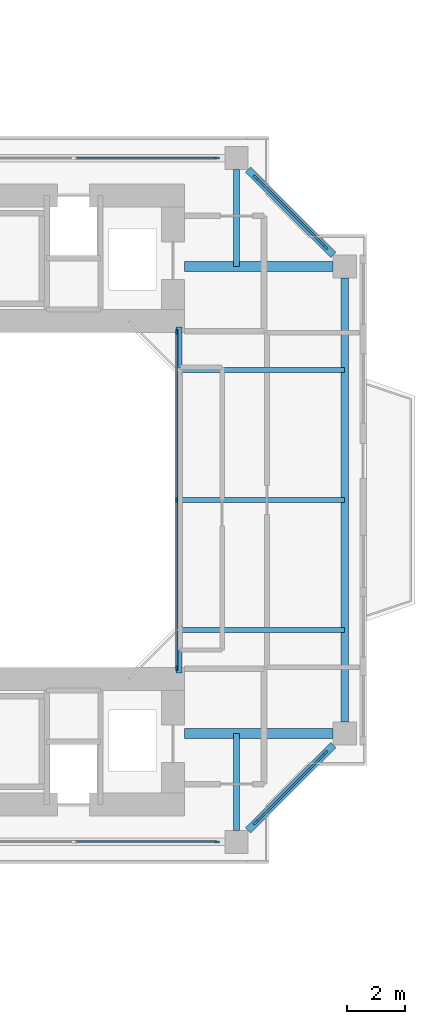
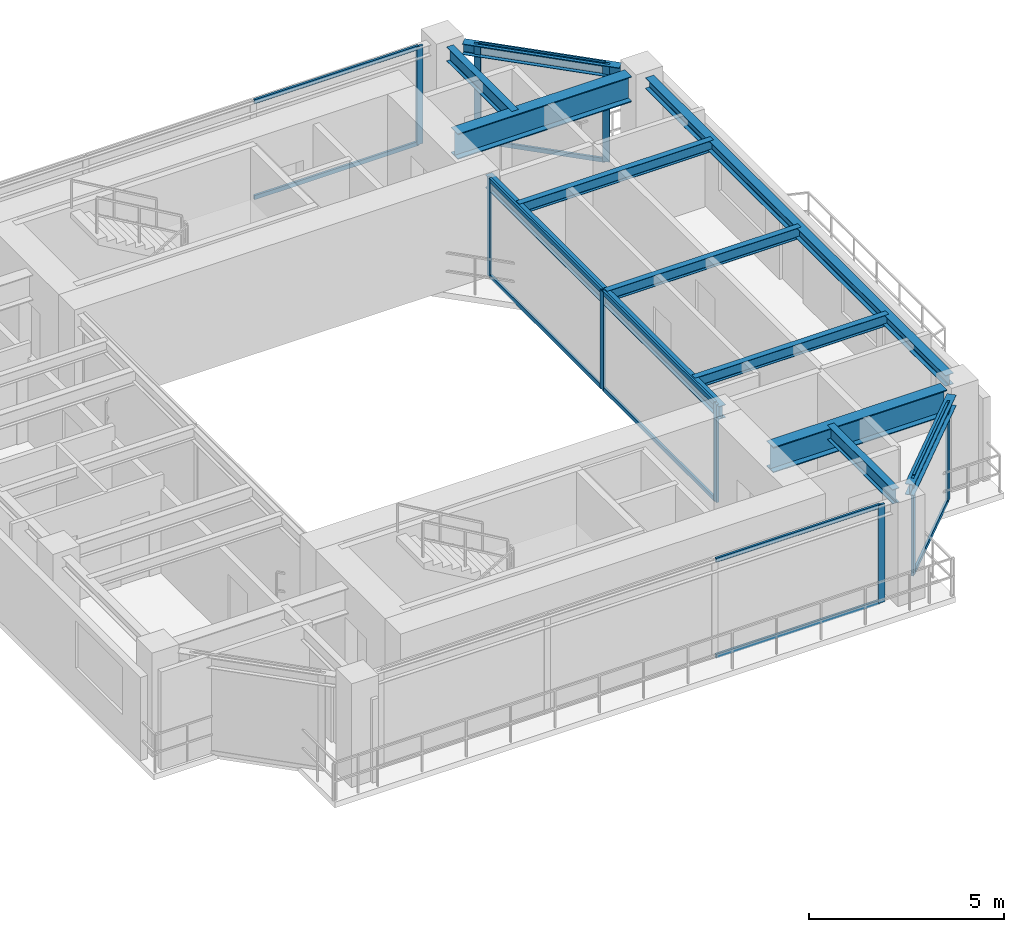
# One storey, part 11 of 23: 21 members, 11 beams, 5 elements without a shape of their own.
"""IFC4 building model written with IfcOpenShell, lengths in metres."""

from ifc_helpers import new_model, si_unit, direction, frame, origin, origin_2d, place, context, subcontext, project, spatial, rectangle, i_section, extrude, source, transform, mapped, material, layer, layer_set, material_profile, profile_set, type_object, element, aggregate, save


model = new_model("IFC4")

# Units and contexts
model_context = context("Model", 3, precision=1e-05, world=origin(), true_north=direction((0.0, 1.0)))
body_context = subcontext(model_context, "Body", "Model", "MODEL_VIEW")
ifc_project = project(units=[si_unit("LENGTHUNIT", "METRE"), si_unit("AREAUNIT", "SQUARE_METRE"), si_unit("VOLUMEUNIT", "CUBIC_METRE"), si_unit("PLANEANGLEUNIT", "RADIAN"), si_unit("MASSUNIT", "GRAM", prefix="KILO"), si_unit("THERMODYNAMICTEMPERATUREUNIT", "KELVIN"), si_unit("POWERUNIT", "WATT")], contexts=[model_context])

# Site, building, storey
site_placement = place(None, origin())
site = spatial("IfcSite", under=ifc_project, at=site_placement, CompositionType="ELEMENT")
building_placement = place(site_placement, origin())
building = spatial("IfcBuilding", under=site, at=building_placement, Name="Qiaomeng Ring Towers", CompositionType="ELEMENT")
storey_placement = place(building_placement, frame((0.0, 0.0, 97.0)))
storey = spatial("IfcBuildingStorey", under=building, at=storey_placement, Name="L27", CompositionType="ELEMENT", Elevation=97.0)

# Beams
ifc_material_1 = material(Name="Steel Q355B", Category="steel")
ifc_material_profile_1 = material_profile(ifc_material_1, i_section(OverallWidth=0.199951171875, OverallDepth=0.39990234375, WebThickness=0.008056640625, FlangeThickness=0.012939453125, FilletRadius=0.01611328125, at=origin_2d()), Name="HN 400x200x8x13")
ifc_profile_set_1 = profile_set([ifc_material_profile_1], Name="Steel Q355B")
beam_type_1 = type_object("IfcBeamType", Name="STR-BM-HN400", PredefinedType="SPANDREL", material=ifc_profile_set_1)
shared_shape_1 = source(origin(), body_context, "Body", "SweptSolid", [
    extrude(i_section(OverallWidth=0.199951171875, OverallDepth=0.39990234375, WebThickness=0.008056640625, FlangeThickness=0.012939453125, FilletRadius=0.01611328125, at=origin_2d()), origin(), (0.0, 0.0, 1.0), 12.0),
])
beam_1_placement = place(storey_placement, frame((66.60009765625, 17.0, 2.8701171875), z_axis=(0.0, 1.0, 0.0), x_axis=(-1.0, 0.0, 0.0)))
element("IfcBeam", 1, at=beam_1_placement, inside=storey, type_object=beam_type_1, Name="L27 beam STR-BM-L27-T2-WELL-E", PredefinedType="SPANDREL", context=body_context, shape_type="MappedRepresentation", body=[
    mapped(shared_shape_1, transform((0.0, 0.0, 0.0), x_axis=(1.0, 0.0, 0.0), y_axis=(0.0, 1.0, 0.0), z_axis=(0.0, 0.0, 1.0), scale=1.0)),
])
ifc_material_profile_2 = material_profile(ifc_material_1, i_section(OverallWidth=0.25, OverallDepth=0.340087890625, WebThickness=0.009033203125, FlangeThickness=0.013916015625, FilletRadius=0.02001953125, at=origin_2d()), Name="HM 340x250x9x14")
ifc_profile_set_2 = profile_set([ifc_material_profile_2], Name="Steel Q355B")
beam_type_2 = type_object("IfcBeamType", Name="STR-BM-HM340", PredefinedType="SPANDREL", material=ifc_profile_set_2)
shared_shape_2 = source(origin(), body_context, "Body", "SweptSolid", [
    extrude(i_section(OverallWidth=0.25, OverallDepth=0.340087890625, WebThickness=0.009033203125, FlangeThickness=0.013916015625, FilletRadius=0.02001953125, at=origin_2d()), origin(), (0.0, 0.0, 1.0), 15.40185546875),
])
beam_2_placement = place(storey_placement, frame((72.35009765625, 15.299072265625, 2.89990234375), z_axis=(0.0, 1.0, 0.0), x_axis=(-1.0, 0.0, 0.0)))
element("IfcBeam", 2, at=beam_2_placement, inside=storey, type_object=beam_type_2, Name="L27 beam STR-SP-L27-T2-E1-E2", PredefinedType="SPANDREL", context=body_context, shape_type="MappedRepresentation", body=[
    mapped(shared_shape_2, transform((0.0, 0.0, 0.0), x_axis=(1.0, 0.0, 0.0), y_axis=(0.0, 1.0, 0.0), z_axis=(0.0, 0.0, 1.0), scale=1.0)),
])
shared_shape_3 = source(origin(), body_context, "Body", "SweptSolid", [
    extrude(i_section(OverallWidth=0.25, OverallDepth=0.340087890625, WebThickness=0.009033203125, FlangeThickness=0.013916015625, FilletRadius=0.02001953125, at=origin_2d()), origin(), (0.0, 0.0, 1.0), 4.173828125),
])
for number, where, z_axis, x_axis, name in (
    (3, (68.999267578125, 11.54931640625, 2.89990234375), (0.707106781187, 0.707106781187, 0.0), (-0.707106781187, 0.707106781187, 0.0), "L27 beam STR-SP-L27-T2-S2-E1"),
    (4, (71.95068359375, 31.499267578125, 2.89990234375), (-0.707106781187, 0.707106781187, 0.0), (-0.707106781187, -0.707106781187, 0.0), "L27 beam STR-SP-L27-T2-E2-N2"),
):
    element("IfcBeam", number, at=place(storey_placement, frame(where, z_axis=z_axis, x_axis=x_axis)), inside=storey, type_object=beam_type_2, Name=name, PredefinedType="SPANDREL", context=body_context, shape_type="MappedRepresentation", body=[
        mapped(shared_shape_3, transform((0.0, 0.0, 0.0), x_axis=(1.0, 0.0, 0.0), y_axis=(0.0, 1.0, 0.0), z_axis=(0.0, 0.0, 1.0), scale=1.0)),
    ])
ifc_material_2 = material(Name="Steel Q390GJC", Category="steel")
ifc_material_profile_3 = material_profile(ifc_material_2, i_section(OverallWidth=0.35009765625, OverallDepth=0.800048828125, WebThickness=0.01611328125, FlangeThickness=0.028076171875, at=origin_2d()), Name="WH 800x350x16x28")
ifc_profile_set_3 = profile_set([ifc_material_profile_3], Name="Steel Q390GJC")
beam_type_3 = type_object("IfcBeamType", Name="STR-BM-WH800", PredefinedType="BEAM", material=ifc_profile_set_3)
shared_shape_4 = source(origin(), body_context, "Body", "SweptSolid", [
    extrude(i_section(OverallWidth=0.35009765625, OverallDepth=0.800048828125, WebThickness=0.01611328125, FlangeThickness=0.028076171875, at=origin_2d()), origin(), (0.0, 0.0, 1.0), 5.15087890625),
])
for number, where, z_axis, x_axis, name in (
    (5, (66.800048828125, 14.89990234375, 2.669921875), (1.0, 0.0, 0.0), (0.0, 1.0, 0.0), "L27 beam STR-BM-L27-T2-RAD-E1"),
    (6, (66.800048828125, 31.10009765625, 2.669921875), (1.0, 0.0, 0.0), (0.0, 1.0, 0.0), "L27 beam STR-BM-L27-T2-RAD-E2"),
):
    element("IfcBeam", number, at=place(storey_placement, frame(where, z_axis=z_axis, x_axis=x_axis)), inside=storey, type_object=beam_type_3, Name=name, PredefinedType="BEAM", context=body_context, shape_type="MappedRepresentation", body=[
        mapped(shared_shape_4, transform((0.0, 0.0, 0.0), x_axis=(1.0, 0.0, 0.0), y_axis=(0.0, 1.0, 0.0), z_axis=(0.0, 0.0, 1.0), scale=1.0)),
    ])
ifc_material_profile_4 = material_profile(ifc_material_1, i_section(OverallWidth=0.199951171875, OverallDepth=0.449951171875, WebThickness=0.009033203125, FlangeThickness=0.013916015625, FilletRadius=0.01806640625, at=origin_2d()), Name="HN 450x200x9x14")
ifc_profile_set_4 = profile_set([ifc_material_profile_4], Name="Steel Q355B")
beam_type_4 = type_object("IfcBeamType", Name="STR-BM-HN450", PredefinedType="SPANDREL", material=ifc_profile_set_4)
shared_shape_5 = source(origin(), body_context, "Body", "SweptSolid", [
    extrude(i_section(OverallWidth=0.199951171875, OverallDepth=0.449951171875, WebThickness=0.009033203125, FlangeThickness=0.013916015625, FilletRadius=0.01806640625, at=origin_2d()), origin(), (0.0, 0.0, 1.0), 3.350830078125),
])
for number, where, z_axis, x_axis, name in (
    (7, (68.60009765625, 34.450927734375, 2.844970703125), (0.0, -1.0, 0.0), (1.0, 0.0, 0.0), "L27 beam STR-BM-L27-T2-RAD-N2"),
    (8, (68.60009765625, 11.549072265625, 2.844970703125), (0.0, 1.0, 0.0), (-1.0, 0.0, 0.0), "L27 beam STR-BM-L27-T2-RAD-S2"),
):
    element("IfcBeam", number, at=place(storey_placement, frame(where, z_axis=z_axis, x_axis=x_axis)), inside=storey, type_object=beam_type_4, Name=name, PredefinedType="SPANDREL", context=body_context, shape_type="MappedRepresentation", body=[
        mapped(shared_shape_5, transform((0.0, 0.0, 0.0), x_axis=(1.0, 0.0, 0.0), y_axis=(0.0, 1.0, 0.0), z_axis=(0.0, 0.0, 1.0), scale=1.0)),
    ])
ifc_material_profile_5 = material_profile(ifc_material_1, i_section(OverallWidth=0.175048828125, OverallDepth=0.35009765625, WebThickness=0.007080078125, FlangeThickness=0.010986328125, FilletRadius=0.013916015625, at=origin_2d()), Name="HN 350x175x7x11")
ifc_profile_set_5 = profile_set([ifc_material_profile_5], Name="Steel Q355B")
beam_type_5 = type_object("IfcBeamType", Name="STR-BM-HN350", PredefinedType="JOIST", material=ifc_profile_set_5)
shared_shape_6 = source(origin(), body_context, "Body", "SweptSolid", [
    extrude(i_section(OverallWidth=0.175048828125, OverallDepth=0.35009765625, WebThickness=0.007080078125, FlangeThickness=0.010986328125, FilletRadius=0.013916015625, at=origin_2d()), origin(), (0.0, 0.0, 1.0), 5.75),
])
for number, where, z_axis, x_axis, name in (
    (9, (66.60009765625, 18.5, 2.89501953125), (1.0, 0.0, 0.0), (0.0, 1.0, 0.0), "L27 beam STR-JST-L27-T2E-1"),
    (10, (66.60009765625, 23.0, 2.89501953125), (1.0, 0.0, 0.0), (0.0, 1.0, 0.0), "L27 beam STR-JST-L27-T2E-2"),
    (11, (66.60009765625, 27.5, 2.89501953125), (1.0, 0.0, 0.0), (0.0, 1.0, 0.0), "L27 beam STR-JST-L27-T2E-3"),
):
    element("IfcBeam", number, at=place(storey_placement, frame(where, z_axis=z_axis, x_axis=x_axis)), inside=storey, type_object=beam_type_5, Name=name, PredefinedType="JOIST", context=body_context, shape_type="MappedRepresentation", body=[
        mapped(shared_shape_6, transform((0.0, 0.0, 0.0), x_axis=(1.0, 0.0, 0.0), y_axis=(0.0, 1.0, 0.0), z_axis=(0.0, 0.0, 1.0), scale=1.0)),
    ])

# Curtain wall, members
ifc_material_3 = material(Name="Fluorocarbon dark-grey aluminium", Category="aluminium")
ifc_layer_1 = layer(ifc_material_3, 0.139892578125, Name="Fluorocarbon dark-grey aluminium")
ifc_layer_set_1 = layer_set([ifc_layer_1], Name="Fluorocarbon dark-grey aluminium")
curtain_wall_type_1 = type_object("IfcCurtainWallType", Name="ARC-CW-4", PredefinedType="NOTDEFINED", material=ifc_layer_set_1)
curtain_wall_1_placement = place(storey_placement, origin())
curtain_wall_1 = element("IfcCurtainWall", 12, at=curtain_wall_1_placement, inside=storey, type_object=curtain_wall_type_1, Name="L27 Curtain Wall CW4", PredefinedType="NOTDEFINED")
ifc_material_profile_6 = material_profile(ifc_material_3, rectangle(XDim=0.06494140625, YDim=0.159912109375, at=origin_2d()), Name="ALU MULL 65x160")
ifc_profile_set_6 = profile_set([ifc_material_profile_6], Name="Fluorocarbon dark-grey aluminium")
member_type_1 = type_object("IfcMemberType", Name="ARC-CWM-140", PredefinedType="MULLION", material=ifc_profile_set_6)
shared_shape_7 = source(origin(), body_context, "Body", "SweptSolid", [
    extrude(rectangle(XDim=0.06494140625, YDim=0.159912109375, at=origin_2d()), origin(), (0.0, 0.0, 1.0), 3.070068359375),
])
member_1_placement = place(storey_placement, frame((66.52001953125, 17.1826171875, 0.0), z_axis=(0.0, 0.0, 1.0), x_axis=(-1.0, 0.0, 0.0)))
member_1 = element("IfcMember", 13, at=member_1_placement, type_object=member_type_1, Name="CW4 mullion 1", PredefinedType="MULLION", context=body_context, shape_type="MappedRepresentation", body=[
    mapped(shared_shape_7, transform((0.0, 0.0, 0.0), x_axis=(1.0, 0.0, 0.0), y_axis=(0.0, 1.0, 0.0), z_axis=(0.0, 0.0, 1.0), scale=1.0)),
])
member_2_placement = place(storey_placement, frame((66.52001953125, 23.0, 0.0), z_axis=(0.0, 0.0, 1.0), x_axis=(-1.0, 0.0, 0.0)))
member_2 = element("IfcMember", 14, at=member_2_placement, type_object=member_type_1, Name="CW4 mullion 2", PredefinedType="MULLION", context=body_context, shape_type="MappedRepresentation", body=[
    mapped(shared_shape_7, transform((0.0, 0.0, 0.0), x_axis=(1.0, 0.0, 0.0), y_axis=(0.0, 1.0, 0.0), z_axis=(0.0, 0.0, 1.0), scale=1.0)),
])
member_3_placement = place(storey_placement, frame((66.52001953125, 28.8173828125, 0.0), z_axis=(0.0, 0.0, 1.0), x_axis=(-1.0, 0.0, 0.0)))
member_3 = element("IfcMember", 15, at=member_3_placement, type_object=member_type_1, Name="CW4 mullion 3", PredefinedType="MULLION", context=body_context, shape_type="MappedRepresentation", body=[
    mapped(shared_shape_7, transform((0.0, 0.0, 0.0), x_axis=(1.0, 0.0, 0.0), y_axis=(0.0, 1.0, 0.0), z_axis=(0.0, 0.0, 1.0), scale=1.0)),
])
ifc_material_profile_7 = material_profile(ifc_material_3, rectangle(XDim=0.06494140625, YDim=0.1298828125, at=origin_2d()), Name="ALU TRAN 65x130")
ifc_profile_set_7 = profile_set([ifc_material_profile_7], Name="Fluorocarbon dark-grey aluminium")
member_type_2 = type_object("IfcMemberType", Name="ARC-CWT-120", PredefinedType="USERDEFINED", material=ifc_profile_set_7)
shared_shape_8 = source(origin(), body_context, "Body", "SweptSolid", [
    extrude(rectangle(XDim=0.06494140625, YDim=0.1298828125, at=origin_2d()), origin(), (0.0, 0.0, 1.0), 5.75244140625),
])
member_4_placement = place(storey_placement, frame((66.52001953125, 17.215087890625, 0.032470703125), z_axis=(0.0, 1.0, 0.0), x_axis=(-1.0, 0.0, 0.0)))
member_4 = element("IfcMember", 16, at=member_4_placement, type_object=member_type_2, Name="CW4 transom 1.1", ObjectType="TRANSOM", PredefinedType="USERDEFINED", context=body_context, shape_type="MappedRepresentation", body=[
    mapped(shared_shape_8, transform((0.0, 0.0, 0.0), x_axis=(1.0, 0.0, 0.0), y_axis=(0.0, 1.0, 0.0), z_axis=(0.0, 0.0, 1.0), scale=1.0)),
])
member_5_placement = place(storey_placement, frame((66.52001953125, 17.215087890625, 3.03759765625), z_axis=(0.0, 1.0, 0.0), x_axis=(-1.0, 0.0, 0.0)))
member_5 = element("IfcMember", 17, at=member_5_placement, type_object=member_type_2, Name="CW4 transom 1.2", ObjectType="TRANSOM", PredefinedType="USERDEFINED", context=body_context, shape_type="MappedRepresentation", body=[
    mapped(shared_shape_8, transform((0.0, 0.0, 0.0), x_axis=(1.0, 0.0, 0.0), y_axis=(0.0, 1.0, 0.0), z_axis=(0.0, 0.0, 1.0), scale=1.0)),
])
member_6_placement = place(storey_placement, frame((66.52001953125, 23.032470703125, 0.032470703125), z_axis=(0.0, 1.0, 0.0), x_axis=(-1.0, 0.0, 0.0)))
member_6 = element("IfcMember", 18, at=member_6_placement, type_object=member_type_2, Name="CW4 transom 2.1", ObjectType="TRANSOM", PredefinedType="USERDEFINED", context=body_context, shape_type="MappedRepresentation", body=[
    mapped(shared_shape_8, transform((0.0, 0.0, 0.0), x_axis=(1.0, 0.0, 0.0), y_axis=(0.0, 1.0, 0.0), z_axis=(0.0, 0.0, 1.0), scale=1.0)),
])
member_7_placement = place(storey_placement, frame((66.52001953125, 23.032470703125, 3.03759765625), z_axis=(0.0, 1.0, 0.0), x_axis=(-1.0, 0.0, 0.0)))
member_7 = element("IfcMember", 19, at=member_7_placement, type_object=member_type_2, Name="CW4 transom 2.2", ObjectType="TRANSOM", PredefinedType="USERDEFINED", context=body_context, shape_type="MappedRepresentation", body=[
    mapped(shared_shape_8, transform((0.0, 0.0, 0.0), x_axis=(1.0, 0.0, 0.0), y_axis=(0.0, 1.0, 0.0), z_axis=(0.0, 0.0, 1.0), scale=1.0)),
])
aggregate(curtain_wall_1, [member_1, member_2, member_3, member_4, member_5, member_6, member_7])

# Curtain wall, member
ifc_layer_2 = layer(ifc_material_3, 0.14990234375, Name="Fluorocarbon dark-grey aluminium")
ifc_layer_set_2 = layer_set([ifc_layer_2], Name="Fluorocarbon dark-grey aluminium")
curtain_wall_type_2 = type_object("IfcCurtainWallType", Name="ARC-CW-5", PredefinedType="NOTDEFINED", material=ifc_layer_set_2)
curtain_wall_2_placement = place(storey_placement, origin())
curtain_wall_2 = element("IfcCurtainWall", 20, at=curtain_wall_2_placement, inside=storey, type_object=curtain_wall_type_2, Name="L27 Curtain Wall CW5", PredefinedType="NOTDEFINED")
ifc_material_profile_8 = material_profile(ifc_material_3, rectangle(XDim=0.070068359375, YDim=0.179931640625, at=origin_2d()), Name="ALU MULL 70x180")
ifc_profile_set_8 = profile_set([ifc_material_profile_8], Name="Fluorocarbon dark-grey aluminium")
member_type_3 = type_object("IfcMemberType", Name="ARC-CWM-160", PredefinedType="MULLION", material=ifc_profile_set_8)
shared_shape_9 = source(origin(), body_context, "Body", "SweptSolid", [
    extrude(rectangle(XDim=0.070068359375, YDim=0.179931640625, at=origin_2d()), origin(), (0.0, 0.0, 1.0), 3.070068359375),
])
member_8_placement = place(storey_placement, frame((67.925048828125, 34.85009765625, 0.0), z_axis=(0.0, 0.0, 1.0), x_axis=(0.0, 1.0, 0.0)))
member_8 = element("IfcMember", 21, at=member_8_placement, type_object=member_type_3, Name="CW5 mullion 4", PredefinedType="MULLION", context=body_context, shape_type="MappedRepresentation", body=[
    mapped(shared_shape_9, transform((0.0, 0.0, 0.0), x_axis=(1.0, 0.0, 0.0), y_axis=(0.0, 1.0, 0.0), z_axis=(0.0, 0.0, 1.0), scale=1.0)),
])

# Curtain wall, members
curtain_wall_3_placement = place(storey_placement, origin())
curtain_wall_3 = element("IfcCurtainWall", 22, at=curtain_wall_3_placement, inside=storey, type_object=curtain_wall_type_2, Name="L27 Curtain Wall CW5", PredefinedType="NOTDEFINED")
member_9_placement = place(storey_placement, frame((69.2646484375, 11.814697265625, 0.0), z_axis=(0.0, 0.0, 1.0), x_axis=(-0.707106781187, 0.707106781187, 0.0)))
member_9 = element("IfcMember", 23, at=member_9_placement, type_object=member_type_3, Name="CW5 mullion 1", PredefinedType="MULLION", context=body_context, shape_type="MappedRepresentation", body=[
    mapped(shared_shape_9, transform((0.0, 0.0, 0.0), x_axis=(1.0, 0.0, 0.0), y_axis=(0.0, 1.0, 0.0), z_axis=(0.0, 0.0, 1.0), scale=1.0)),
])
member_10_placement = place(storey_placement, frame((71.685302734375, 14.2353515625, 0.0), z_axis=(0.0, 0.0, 1.0), x_axis=(-0.707106781187, 0.707106781187, 0.0)))
member_10 = element("IfcMember", 24, at=member_10_placement, type_object=member_type_3, Name="CW5 mullion 2", PredefinedType="MULLION", context=body_context, shape_type="MappedRepresentation", body=[
    mapped(shared_shape_9, transform((0.0, 0.0, 0.0), x_axis=(1.0, 0.0, 0.0), y_axis=(0.0, 1.0, 0.0), z_axis=(0.0, 0.0, 1.0), scale=1.0)),
])

curtain_wall_4_placement = place(storey_placement, origin())
curtain_wall_4 = element("IfcCurtainWall", 25, at=curtain_wall_4_placement, inside=storey, type_object=curtain_wall_type_2, Name="L27 Curtain Wall CW5", PredefinedType="NOTDEFINED")
member_11_placement = place(storey_placement, frame((71.685302734375, 31.7646484375, 0.0), z_axis=(0.0, 0.0, 1.0), x_axis=(-0.707106781187, -0.707106781187, 0.0)))
member_11 = element("IfcMember", 26, at=member_11_placement, type_object=member_type_3, Name="CW5 mullion 1", PredefinedType="MULLION", context=body_context, shape_type="MappedRepresentation", body=[
    mapped(shared_shape_9, transform((0.0, 0.0, 0.0), x_axis=(1.0, 0.0, 0.0), y_axis=(0.0, 1.0, 0.0), z_axis=(0.0, 0.0, 1.0), scale=1.0)),
])
member_12_placement = place(storey_placement, frame((69.2646484375, 34.185302734375, 0.0), z_axis=(0.0, 0.0, 1.0), x_axis=(-0.707106781187, -0.707106781187, 0.0)))
member_12 = element("IfcMember", 27, at=member_12_placement, type_object=member_type_3, Name="CW5 mullion 2", PredefinedType="MULLION", context=body_context, shape_type="MappedRepresentation", body=[
    mapped(shared_shape_9, transform((0.0, 0.0, 0.0), x_axis=(1.0, 0.0, 0.0), y_axis=(0.0, 1.0, 0.0), z_axis=(0.0, 0.0, 1.0), scale=1.0)),
])

# Curtain wall, member
curtain_wall_5_placement = place(storey_placement, origin())
curtain_wall_5 = element("IfcCurtainWall", 28, at=curtain_wall_5_placement, inside=storey, type_object=curtain_wall_type_2, Name="L27 Curtain Wall CW5", PredefinedType="NOTDEFINED")
member_13_placement = place(storey_placement, frame((67.925048828125, 11.14990234375, 0.0), z_axis=(0.0, 0.0, 1.0), x_axis=(0.0, 1.0, 0.0)))
member_13 = element("IfcMember", 29, at=member_13_placement, type_object=member_type_3, Name="CW5 mullion 4", PredefinedType="MULLION", context=body_context, shape_type="MappedRepresentation", body=[
    mapped(shared_shape_9, transform((0.0, 0.0, 0.0), x_axis=(1.0, 0.0, 0.0), y_axis=(0.0, 1.0, 0.0), z_axis=(0.0, 0.0, 1.0), scale=1.0)),
])

# Member
shared_shape_10 = source(origin(), body_context, "Body", "SweptSolid", [
    extrude(rectangle(XDim=0.06494140625, YDim=0.1298828125, at=origin_2d()), origin(), (0.0, 0.0, 1.0), 4.8681640625),
])
member_14_placement = place(storey_placement, frame((63.021728515625, 34.85009765625, 0.032470703125), z_axis=(1.0, 0.0, 0.0), x_axis=(0.0, 1.0, 0.0)))
member_14 = element("IfcMember", 30, at=member_14_placement, type_object=member_type_2, Name="CW5 transom 3.1", ObjectType="TRANSOM", PredefinedType="USERDEFINED", context=body_context, shape_type="MappedRepresentation", body=[
    mapped(shared_shape_10, transform((0.0, 0.0, 0.0), x_axis=(1.0, 0.0, 0.0), y_axis=(0.0, 1.0, 0.0), z_axis=(0.0, 0.0, 1.0), scale=1.0)),
])

member_15_placement = place(storey_placement, frame((63.021728515625, 34.85009765625, 3.03759765625), z_axis=(1.0, 0.0, 0.0), x_axis=(0.0, 1.0, 0.0)))
member_15 = element("IfcMember", 31, at=member_15_placement, type_object=member_type_2, Name="CW5 transom 3.2", ObjectType="TRANSOM", PredefinedType="USERDEFINED", context=body_context, shape_type="MappedRepresentation", body=[
    mapped(shared_shape_10, transform((0.0, 0.0, 0.0), x_axis=(1.0, 0.0, 0.0), y_axis=(0.0, 1.0, 0.0), z_axis=(0.0, 0.0, 1.0), scale=1.0)),
])

aggregate(curtain_wall_2, [member_8, member_14, member_15])

member_16_placement = place(storey_placement, frame((63.021728515625, 11.14990234375, 0.032470703125), z_axis=(1.0, 0.0, 0.0), x_axis=(0.0, 1.0, 0.0)))
member_16 = element("IfcMember", 32, at=member_16_placement, type_object=member_type_2, Name="CW5 transom 3.1", ObjectType="TRANSOM", PredefinedType="USERDEFINED", context=body_context, shape_type="MappedRepresentation", body=[
    mapped(shared_shape_10, transform((0.0, 0.0, 0.0), x_axis=(1.0, 0.0, 0.0), y_axis=(0.0, 1.0, 0.0), z_axis=(0.0, 0.0, 1.0), scale=1.0)),
])

member_17_placement = place(storey_placement, frame((63.021728515625, 11.14990234375, 3.03759765625), z_axis=(1.0, 0.0, 0.0), x_axis=(0.0, 1.0, 0.0)))
member_17 = element("IfcMember", 33, at=member_17_placement, type_object=member_type_2, Name="CW5 transom 3.2", ObjectType="TRANSOM", PredefinedType="USERDEFINED", context=body_context, shape_type="MappedRepresentation", body=[
    mapped(shared_shape_10, transform((0.0, 0.0, 0.0), x_axis=(1.0, 0.0, 0.0), y_axis=(0.0, 1.0, 0.0), z_axis=(0.0, 0.0, 1.0), scale=1.0)),
])

aggregate(curtain_wall_5, [member_13, member_16, member_17])

shared_shape_11 = source(origin(), body_context, "Body", "SweptSolid", [
    extrude(rectangle(XDim=0.06494140625, YDim=0.1298828125, at=origin_2d()), origin(), (0.0, 0.0, 1.0), 3.352783203125),
])
member_18_placement = place(storey_placement, frame((69.28955078125, 11.839599609375, 0.032470703125), z_axis=(0.707106781187, 0.707106781187, 0.0), x_axis=(-0.707106781187, 0.707106781187, 0.0)))
member_18 = element("IfcMember", 34, at=member_18_placement, type_object=member_type_2, Name="CW5 transom 1.1", ObjectType="TRANSOM", PredefinedType="USERDEFINED", context=body_context, shape_type="MappedRepresentation", body=[
    mapped(shared_shape_11, transform((0.0, 0.0, 0.0), x_axis=(1.0, 0.0, 0.0), y_axis=(0.0, 1.0, 0.0), z_axis=(0.0, 0.0, 1.0), scale=1.0)),
])

member_19_placement = place(storey_placement, frame((69.28955078125, 11.839599609375, 3.03759765625), z_axis=(0.707106781187, 0.707106781187, 0.0), x_axis=(-0.707106781187, 0.707106781187, 0.0)))
member_19 = element("IfcMember", 35, at=member_19_placement, type_object=member_type_2, Name="CW5 transom 1.2", ObjectType="TRANSOM", PredefinedType="USERDEFINED", context=body_context, shape_type="MappedRepresentation", body=[
    mapped(shared_shape_11, transform((0.0, 0.0, 0.0), x_axis=(1.0, 0.0, 0.0), y_axis=(0.0, 1.0, 0.0), z_axis=(0.0, 0.0, 1.0), scale=1.0)),
])

aggregate(curtain_wall_3, [member_9, member_10, member_18, member_19])

member_20_placement = place(storey_placement, frame((71.660400390625, 31.78955078125, 0.032470703125), z_axis=(-0.707106781187, 0.707106781187, 0.0), x_axis=(-0.707106781187, -0.707106781187, 0.0)))
member_20 = element("IfcMember", 36, at=member_20_placement, type_object=member_type_2, Name="CW5 transom 1.1", ObjectType="TRANSOM", PredefinedType="USERDEFINED", context=body_context, shape_type="MappedRepresentation", body=[
    mapped(shared_shape_11, transform((0.0, 0.0, 0.0), x_axis=(1.0, 0.0, 0.0), y_axis=(0.0, 1.0, 0.0), z_axis=(0.0, 0.0, 1.0), scale=1.0)),
])

member_21_placement = place(storey_placement, frame((71.660400390625, 31.78955078125, 3.03759765625), z_axis=(-0.707106781187, 0.707106781187, 0.0), x_axis=(-0.707106781187, -0.707106781187, 0.0)))
member_21 = element("IfcMember", 37, at=member_21_placement, type_object=member_type_2, Name="CW5 transom 1.2", ObjectType="TRANSOM", PredefinedType="USERDEFINED", context=body_context, shape_type="MappedRepresentation", body=[
    mapped(shared_shape_11, transform((0.0, 0.0, 0.0), x_axis=(1.0, 0.0, 0.0), y_axis=(0.0, 1.0, 0.0), z_axis=(0.0, 0.0, 1.0), scale=1.0)),
])

aggregate(curtain_wall_4, [member_11, member_12, member_20, member_21])

save(model, "model.ifc")
